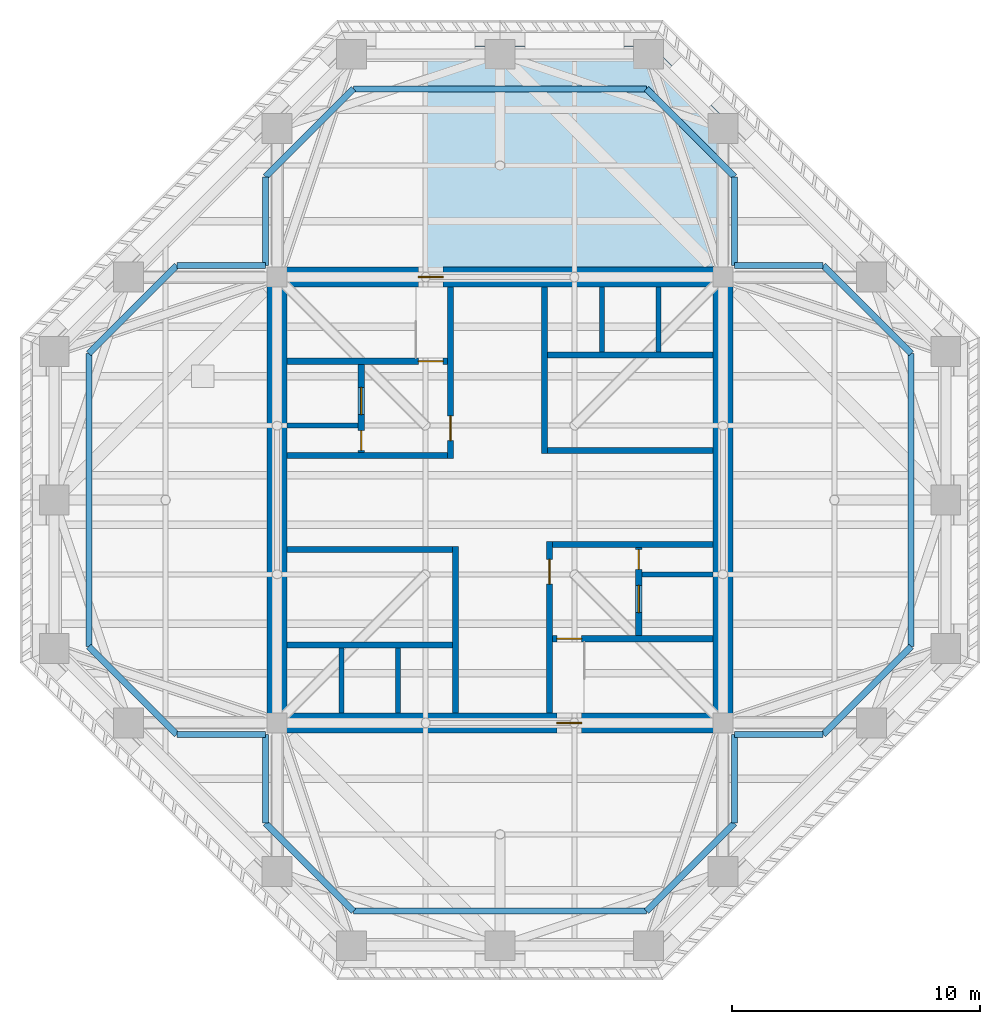
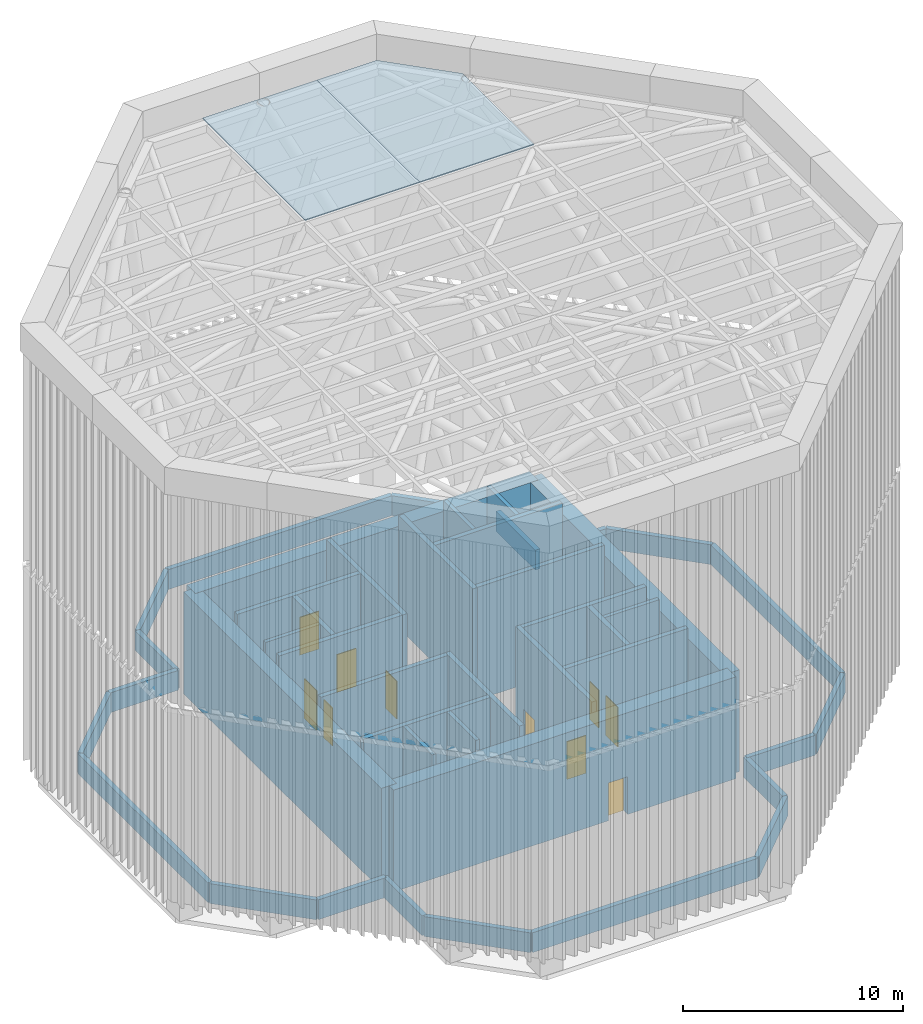
# One storey, part 4 of 8: 44 walls, 10 doors, 2 plates, 10 openings.
"""IFC4 building model written with IfcOpenShell, lengths in metres."""

from ifc_helpers import new_model, si_unit, direction, frame, frame_2d, origin, place, context, subcontext, project, spatial, polyline, rectangle, outline, extrude, material, layer, layer_set, constituent, constituent_set, type_object, element, fill, save


model = new_model("IFC4")

# Units and contexts
model_context = context("Model", 3, precision=1e-05, world=origin(), true_north=direction((0.0, 1.0)))
body_context = subcontext(model_context, "Body", "Model", "MODEL_VIEW")
ifc_project = project(units=[si_unit("LENGTHUNIT", "METRE"), si_unit("AREAUNIT", "SQUARE_METRE"), si_unit("VOLUMEUNIT", "CUBIC_METRE"), si_unit("PLANEANGLEUNIT", "RADIAN"), si_unit("MASSUNIT", "GRAM", prefix="KILO")], contexts=[model_context])

# Site, building, storey
site_placement = place(None, origin())
site = spatial("IfcSite", under=ifc_project, at=site_placement, CompositionType="ELEMENT")
building_placement = place(site_placement, origin())
building = spatial("IfcBuilding", under=site, at=building_placement, Name="Torre Cruceta", CompositionType="ELEMENT")
storey_placement = place(building_placement, frame((0.0, 0.0, 293.300048828125)))
storey = spatial("IfcBuildingStorey", under=building, at=storey_placement, Name="RF", CompositionType="ELEMENT", Elevation=293.300048828125)

# Plates
ifc_material_1 = material(Name="Steel S275", Category="steel")
ifc_layer_1 = layer(ifc_material_1, 0.050048828125)
ifc_layer_set_1 = layer_set([ifc_layer_1], Name="Steel S275")
plate_type = type_object("IfcPlateType", Name="CROWN FRAME CAP GRATING 50", PredefinedType="SHEET", material=ifc_layer_set_1)
plate_1_placement = place(storey_placement, frame((0.0, 0.0, 24.0)))
element("IfcPlate", 1, at=plate_1_placement, inside=storey, type_object=plate_type, Name="Crown frame cap grating CG1 15", PredefinedType="SHEET", context=body_context, shape_type="SweptSolid", body=[
    extrude(outline(polyline([(-3.0, 18.340087890625), (-3.0, 9.0), (3.0, 9.0), (3.0, 18.340087890625), (-3.0, 18.340087890625)])), origin(), (0.0, 0.0, 1.0), 0.050048828125),
])
plate_2_placement = place(storey_placement, frame((0.0, 0.0, 24.0)))
element("IfcPlate", 2, at=plate_2_placement, inside=storey, type_object=plate_type, Name="Crown frame cap grating CG1 20", PredefinedType="SHEET", context=body_context, shape_type="SweptSolid", body=[
    extrude(outline(polyline([(3.0, 18.340087890625), (3.0, 9.0), (9.0, 9.0), (9.0, 15.48095703125), (6.14111328125, 18.340087890625), (3.0, 18.340087890625)])), origin(), (0.0, 0.0, 1.0), 0.050048828125),
])

# Walls
ifc_material_2 = material(Name="Concrete G45 (fck 45 MPa)", Category="concrete")
ifc_layer_2 = layer(ifc_material_2, 0.25)
ifc_layer_set_2 = layer_set([ifc_layer_2], Name="Concrete G45 (fck 45 MPa)")
wall_type_1 = type_object("IfcWallType", Name="CORE INNER WALL 250 G45", PredefinedType="SHEAR", material=ifc_layer_set_2)
wall_1_placement = place(storey_placement, frame((1.800048828125, 1.875, 0.0), z_axis=(0.0, 0.0, 1.0), x_axis=(0.0, 1.0, 0.0)))
element("IfcWall", 3, at=wall_1_placement, inside=storey, type_object=wall_type_1, Name="CW6 RF NE-CU", PredefinedType="SHEAR", context=body_context, shape_type="SweptSolid", body=[
    extrude(rectangle(XDim=6.72509765625, YDim=0.25, at=frame_2d((3.362548828125, 0.0))), origin(), (0.0, 0.0, 1.0), 6.25),
])
for number, where, z_axis, x_axis, name in (
    (4, (1.925048828125, 2.0, 0.0), (0.0, 0.0, 1.0), (1.0, 0.0, 0.0), "CW6 RF NE-CV"),
    (5, (1.925048828125, 5.85009765625, 0.0), (0.0, 0.0, 1.0), (1.0, 0.0, 0.0), "CW6 RF NE-LV"),
):
    element("IfcWall", number, at=place(storey_placement, frame(where, z_axis=z_axis, x_axis=x_axis)), inside=storey, type_object=wall_type_1, Name=name, PredefinedType="SHEAR", context=body_context, shape_type="SweptSolid", body=[
        extrude(rectangle(XDim=6.675048828125, YDim=0.25, at=frame_2d((3.33740234375, 0.0))), origin(), (0.0, 0.0, 1.0), 6.25),
    ])

# Wall, opening, door
wall_2_placement = place(storey_placement, frame((-2.0, 1.675048828125, 0.0), z_axis=(0.0, 0.0, 1.0), x_axis=(0.0, 1.0, 0.0)))
wall_2 = element("IfcWall", 6, at=wall_2_placement, inside=storey, type_object=wall_type_1, Name="CW6 RF NW-CU", PredefinedType="SHEAR", context=body_context, shape_type="SweptSolid", body=[
    extrude(rectangle(XDim=6.925048828125, YDim=0.25, at=frame_2d((3.46240234375, 0.0))), origin(), (0.0, 0.0, 1.0), 6.25),
])
opening_1_placement = place(wall_2_placement, frame((0.72509765625, 0.0, 0.0)))
opening_1 = element("IfcOpeningElement", 7, at=opening_1_placement, cuts=wall_2, Name="Opening D3", PredefinedType="OPENING", context=body_context, shape_type="SweptSolid", body=[
    extrude(rectangle(XDim=1.0, YDim=2.10009765625, at=frame_2d((0.5, 1.050048828125))), frame((0.0, 0.135009765625, 0.0), z_axis=(0.0, -1.0, 0.0), x_axis=(1.0, 0.0, 0.0)), (0.0, 0.0, 1.0), 0.27001953125),
])
ifc_material_3 = material(Name="Steel DX51D", Category="steel")
ifc_constituent_1 = constituent(ifc_material_3, Name="Leaf and frame")
ifc_material_4 = material(Name="Polyester powder coating", Category="paint")
ifc_constituent_2 = constituent(ifc_material_4, Name="Finish")
ifc_constituent_set_1 = constituent_set(constituents=[ifc_constituent_1, ifc_constituent_2], Name="Steel fire door")
door_type_1 = type_object("IfcDoorType", Name="FIRE DOOR 1000X2100", OperationType="SINGLE_SWING_LEFT", PredefinedType="DOOR", material=ifc_constituent_set_1)
door_1_placement = place(opening_1_placement, origin())
door_1 = element("IfcDoor", 8, at=door_1_placement, inside=storey, type_object=door_type_1, Name="D3 RF NW-LOBBY", OperationType="SINGLE_SWING_LEFT", OverallHeight=2.10009765625, OverallWidth=1.0, PredefinedType="DOOR", context=body_context, shape_type="SweptSolid", body=[
    extrude(rectangle(XDim=1.0, YDim=2.10009765625, at=frame_2d((0.5, 1.050048828125))), frame((0.0, 0.02490234375, 0.0), z_axis=(0.0, -1.0, 0.0), x_axis=(1.0, 0.0, 0.0)), (0.0, 0.0, 1.0), 0.050048828125),
])
fill(opening_1, door_1)

# Wall
wall_3_placement = place(storey_placement, frame((-2.125, 1.800048828125, 0.0), z_axis=(0.0, 0.0, 1.0), x_axis=(-1.0, 0.0, 0.0)))
element("IfcWall", 9, at=wall_3_placement, inside=storey, type_object=wall_type_1, Name="CW6 RF NW-CV", PredefinedType="SHEAR", context=body_context, shape_type="SweptSolid", body=[
    extrude(rectangle(XDim=6.47509765625, YDim=0.25, at=frame_2d((3.237548828125, 0.0))), origin(), (0.0, 0.0, 1.0), 6.25),
])

# Wall, opening, door
wall_4_placement = place(storey_placement, frame((-2.125, 5.60009765625, 0.0), z_axis=(0.0, 0.0, 1.0), x_axis=(-1.0, 0.0, 0.0)))
wall_4 = element("IfcWall", 10, at=wall_4_placement, inside=storey, type_object=wall_type_1, Name="CW6 RF NW-SV", PredefinedType="SHEAR", context=body_context, shape_type="SweptSolid", body=[
    extrude(rectangle(XDim=6.47509765625, YDim=0.25, at=frame_2d((3.237548828125, 0.0))), origin(), (0.0, 0.0, 1.0), 6.25),
])
opening_2_placement = place(wall_4_placement, frame((0.175048828125, 0.0, 0.0)))
opening_2 = element("IfcOpeningElement", 11, at=opening_2_placement, cuts=wall_4, Name="Opening D3", PredefinedType="OPENING", context=body_context, shape_type="SweptSolid", body=[
    extrude(rectangle(XDim=1.0, YDim=2.10009765625, at=frame_2d((0.5, 1.050048828125))), frame((0.0, 0.135009765625, 0.0), z_axis=(0.0, -1.0, 0.0), x_axis=(1.0, 0.0, 0.0)), (0.0, 0.0, 1.0), 0.27001953125),
])
door_2_placement = place(opening_2_placement, frame((1.0, 0.0, 0.0), z_axis=(0.0, 0.0, 1.0), x_axis=(-1.0, 0.0, 0.0)))
door_2 = element("IfcDoor", 12, at=door_2_placement, inside=storey, type_object=door_type_1, Name="D3 RF NW-STAIR", OperationType="SINGLE_SWING_RIGHT", OverallHeight=2.10009765625, OverallWidth=1.0, PredefinedType="DOOR", context=body_context, shape_type="SweptSolid", body=[
    extrude(rectangle(XDim=1.0, YDim=2.10009765625, at=frame_2d((0.5, 1.050048828125))), frame((0.0, 0.025146484375, 0.0), z_axis=(0.0, -1.0, 0.0), x_axis=(1.0, 0.0, 0.0)), (0.0, 0.0, 1.0), 0.050048828125),
])
fill(opening_2, door_2)

# Wall, openings, doors
wall_5_placement = place(storey_placement, frame((-5.60009765625, 1.925048828125, 0.0), z_axis=(0.0, 0.0, 1.0), x_axis=(0.0, 1.0, 0.0)))
wall_5 = element("IfcWall", 13, at=wall_5_placement, inside=storey, type_object=wall_type_1, Name="CW6 RF NW-FU", PredefinedType="SHEAR", context=body_context, shape_type="SweptSolid", body=[
    extrude(rectangle(XDim=3.550048828125, YDim=0.25, at=frame_2d((1.77490234375, 0.0))), origin(), (0.0, 0.0, 1.0), 6.25),
])
opening_3_placement = place(wall_5_placement, frame((1.52490234375, 0.0, 0.0)))
opening_3 = element("IfcOpeningElement", 14, at=opening_3_placement, cuts=wall_5, Name="Opening LD1", PredefinedType="OPENING", context=body_context, shape_type="SweptSolid", body=[
    extrude(rectangle(XDim=1.10009765625, YDim=2.199951171875, at=frame_2d((0.550048828125, 1.10009765625))), frame((0.0, 0.135009765625, 0.0), z_axis=(0.0, -1.0, 0.0), x_axis=(1.0, 0.0, 0.0)), (0.0, 0.0, 1.0), 0.27001953125),
])
opening_4_placement = place(wall_5_placement, frame((0.074951171875, 0.0, 0.0)))
opening_4 = element("IfcOpeningElement", 15, at=opening_4_placement, cuts=wall_5, Name="Opening D5", PredefinedType="OPENING", context=body_context, shape_type="SweptSolid", body=[
    extrude(rectangle(XDim=0.800048828125, YDim=2.10009765625, at=frame_2d((0.39990234375, 1.050048828125))), frame((0.0, 0.135009765625, 0.0), z_axis=(0.0, -1.0, 0.0), x_axis=(1.0, 0.0, 0.0)), (0.0, 0.0, 1.0), 0.27001953125),
])
ifc_material_5 = material(Name="Stainless steel 1.4401", Category="steel")
door_type_2 = type_object("IfcDoorType", Name="LIFT LANDING DOOR 1100X2200", OperationType="DOUBLE_DOOR_SLIDING", PredefinedType="DOOR", material=ifc_material_5)
door_3_placement = place(opening_3_placement, origin())
door_3 = element("IfcDoor", 16, at=door_3_placement, inside=storey, type_object=door_type_2, Name="Lift landing door FL1", OperationType="DOUBLE_DOOR_SLIDING", OverallHeight=2.199951171875, OverallWidth=1.10009765625, PredefinedType="DOOR", context=body_context, shape_type="SweptSolid", body=[
    extrude(rectangle(XDim=1.10009765625, YDim=2.199951171875, at=frame_2d((0.550048828125, 1.10009765625))), frame((0.0, 0.02490234375, 0.0), z_axis=(0.0, -1.0, 0.0), x_axis=(1.0, 0.0, 0.0)), (0.0, 0.0, 1.0), 0.050048828125),
])
fill(opening_3, door_3)
ifc_material_6 = material(Name="Steel DX51D", Category="steel")
ifc_constituent_3 = constituent(ifc_material_6, Name="Leaf and frame")
ifc_material_7 = material(Name="Polyester powder coating", Category="paint")
ifc_constituent_4 = constituent(ifc_material_7, Name="Finish")
ifc_constituent_set_2 = constituent_set(constituents=[ifc_constituent_3, ifc_constituent_4], Name="Steel fire door")
door_type_3 = type_object("IfcDoorType", Name="RISER ACCESS DOOR 800X2100", OperationType="SINGLE_SWING_LEFT", PredefinedType="DOOR", material=ifc_constituent_set_2)
door_4_placement = place(opening_4_placement, origin())
door_4 = element("IfcDoor", 17, at=door_4_placement, inside=storey, type_object=door_type_3, Name="D5 RF NW-RISER", OperationType="SINGLE_SWING_LEFT", OverallHeight=2.10009765625, OverallWidth=0.800048828125, PredefinedType="DOOR", context=body_context, shape_type="SweptSolid", body=[
    extrude(rectangle(XDim=0.800048828125, YDim=2.10009765625, at=frame_2d((0.39990234375, 1.050048828125))), frame((0.0, 0.02490234375, 0.0), z_axis=(0.0, -1.0, 0.0), x_axis=(1.0, 0.0, 0.0)), (0.0, 0.0, 1.0), 0.050048828125),
])
fill(opening_4, door_4)

# Walls
wall_6_placement = place(storey_placement, frame((-1.800048828125, -1.875, 0.0), z_axis=(0.0, 0.0, 1.0), x_axis=(0.0, -1.0, 0.0)))
element("IfcWall", 18, at=wall_6_placement, inside=storey, type_object=wall_type_1, Name="CW6 RF SW-CU", PredefinedType="SHEAR", context=body_context, shape_type="SweptSolid", body=[
    extrude(rectangle(XDim=6.72509765625, YDim=0.25, at=frame_2d((3.362548828125, 0.0))), origin(), (0.0, 0.0, 1.0), 6.25),
])
for number, where, z_axis, x_axis, name in (
    (19, (-1.925048828125, -2.0, 0.0), (0.0, 0.0, 1.0), (-1.0, 0.0, 0.0), "CW6 RF SW-CV"),
    (20, (-1.925048828125, -5.85009765625, 0.0), (0.0, 0.0, 1.0), (-1.0, 0.0, 0.0), "CW6 RF SW-LV"),
):
    element("IfcWall", number, at=place(storey_placement, frame(where, z_axis=z_axis, x_axis=x_axis)), inside=storey, type_object=wall_type_1, Name=name, PredefinedType="SHEAR", context=body_context, shape_type="SweptSolid", body=[
        extrude(rectangle(XDim=6.675048828125, YDim=0.25, at=frame_2d((3.33740234375, 0.0))), origin(), (0.0, 0.0, 1.0), 6.25),
    ])

# Wall, opening, door
wall_7_placement = place(storey_placement, frame((2.0, -1.675048828125, 0.0), z_axis=(0.0, 0.0, 1.0), x_axis=(0.0, -1.0, 0.0)))
wall_7 = element("IfcWall", 21, at=wall_7_placement, inside=storey, type_object=wall_type_1, Name="CW6 RF SE-CU", PredefinedType="SHEAR", context=body_context, shape_type="SweptSolid", body=[
    extrude(rectangle(XDim=6.925048828125, YDim=0.25, at=frame_2d((3.46240234375, 0.0))), origin(), (0.0, 0.0, 1.0), 6.25),
])
opening_5_placement = place(wall_7_placement, frame((0.72509765625, 0.0, 0.0)))
opening_5 = element("IfcOpeningElement", 22, at=opening_5_placement, cuts=wall_7, Name="Opening D3", PredefinedType="OPENING", context=body_context, shape_type="SweptSolid", body=[
    extrude(rectangle(XDim=1.0, YDim=2.10009765625, at=frame_2d((0.5, 1.050048828125))), frame((0.0, 0.135009765625, 0.0), z_axis=(0.0, -1.0, 0.0), x_axis=(1.0, 0.0, 0.0)), (0.0, 0.0, 1.0), 0.27001953125),
])
door_5_placement = place(opening_5_placement, origin())
door_5 = element("IfcDoor", 23, at=door_5_placement, inside=storey, type_object=door_type_1, Name="D3 RF SE-LOBBY", OperationType="SINGLE_SWING_LEFT", OverallHeight=2.10009765625, OverallWidth=1.0, PredefinedType="DOOR", context=body_context, shape_type="SweptSolid", body=[
    extrude(rectangle(XDim=1.0, YDim=2.10009765625, at=frame_2d((0.5, 1.050048828125))), frame((0.0, 0.02490234375, 0.0), z_axis=(0.0, -1.0, 0.0), x_axis=(1.0, 0.0, 0.0)), (0.0, 0.0, 1.0), 0.050048828125),
])
fill(opening_5, door_5)

# Wall
wall_8_placement = place(storey_placement, frame((2.125, -1.800048828125, 0.0), z_axis=(0.0, 0.0, 1.0), x_axis=(1.0, 0.0, 0.0)))
element("IfcWall", 24, at=wall_8_placement, inside=storey, type_object=wall_type_1, Name="CW6 RF SE-CV", PredefinedType="SHEAR", context=body_context, shape_type="SweptSolid", body=[
    extrude(rectangle(XDim=6.47509765625, YDim=0.25, at=frame_2d((3.237548828125, 0.0))), origin(), (0.0, 0.0, 1.0), 6.25),
])

# Wall, opening, door
wall_9_placement = place(storey_placement, frame((2.125, -5.60009765625, 0.0), z_axis=(0.0, 0.0, 1.0), x_axis=(1.0, 0.0, 0.0)))
wall_9 = element("IfcWall", 25, at=wall_9_placement, inside=storey, type_object=wall_type_1, Name="CW6 RF SE-SV", PredefinedType="SHEAR", context=body_context, shape_type="SweptSolid", body=[
    extrude(rectangle(XDim=6.47509765625, YDim=0.25, at=frame_2d((3.237548828125, 0.0))), origin(), (0.0, 0.0, 1.0), 6.25),
])
opening_6_placement = place(wall_9_placement, frame((0.175048828125, 0.0, 0.0)))
opening_6 = element("IfcOpeningElement", 26, at=opening_6_placement, cuts=wall_9, Name="Opening D3", PredefinedType="OPENING", context=body_context, shape_type="SweptSolid", body=[
    extrude(rectangle(XDim=1.0, YDim=2.10009765625, at=frame_2d((0.5, 1.050048828125))), frame((0.0, 0.135009765625, 0.0), z_axis=(0.0, -1.0, 0.0), x_axis=(1.0, 0.0, 0.0)), (0.0, 0.0, 1.0), 0.27001953125),
])
door_6_placement = place(opening_6_placement, frame((1.0, 0.0, 0.0), z_axis=(0.0, 0.0, 1.0), x_axis=(-1.0, 0.0, 0.0)))
door_6 = element("IfcDoor", 27, at=door_6_placement, inside=storey, type_object=door_type_1, Name="D3 RF SE-STAIR", OperationType="SINGLE_SWING_RIGHT", OverallHeight=2.10009765625, OverallWidth=1.0, PredefinedType="DOOR", context=body_context, shape_type="SweptSolid", body=[
    extrude(rectangle(XDim=1.0, YDim=2.10009765625, at=frame_2d((0.5, 1.050048828125))), frame((0.0, 0.025146484375, 0.0), z_axis=(0.0, -1.0, 0.0), x_axis=(1.0, 0.0, 0.0)), (0.0, 0.0, 1.0), 0.050048828125),
])
fill(opening_6, door_6)

# Wall, openings, doors
wall_10_placement = place(storey_placement, frame((5.60009765625, -1.925048828125, 0.0), z_axis=(0.0, 0.0, 1.0), x_axis=(0.0, -1.0, 0.0)))
wall_10 = element("IfcWall", 28, at=wall_10_placement, inside=storey, type_object=wall_type_1, Name="CW6 RF SE-FU", PredefinedType="SHEAR", context=body_context, shape_type="SweptSolid", body=[
    extrude(rectangle(XDim=3.550048828125, YDim=0.25, at=frame_2d((1.77490234375, 0.0))), origin(), (0.0, 0.0, 1.0), 6.25),
])
opening_7_placement = place(wall_10_placement, frame((1.52490234375, 0.0, 0.0)))
opening_7 = element("IfcOpeningElement", 29, at=opening_7_placement, cuts=wall_10, Name="Opening LD1", PredefinedType="OPENING", context=body_context, shape_type="SweptSolid", body=[
    extrude(rectangle(XDim=1.10009765625, YDim=2.199951171875, at=frame_2d((0.550048828125, 1.10009765625))), frame((0.0, 0.135009765625, 0.0), z_axis=(0.0, -1.0, 0.0), x_axis=(1.0, 0.0, 0.0)), (0.0, 0.0, 1.0), 0.27001953125),
])
opening_8_placement = place(wall_10_placement, frame((0.074951171875, 0.0, 0.0)))
opening_8 = element("IfcOpeningElement", 30, at=opening_8_placement, cuts=wall_10, Name="Opening D5", PredefinedType="OPENING", context=body_context, shape_type="SweptSolid", body=[
    extrude(rectangle(XDim=0.800048828125, YDim=2.10009765625, at=frame_2d((0.39990234375, 1.050048828125))), frame((0.0, 0.135009765625, 0.0), z_axis=(0.0, -1.0, 0.0), x_axis=(1.0, 0.0, 0.0)), (0.0, 0.0, 1.0), 0.27001953125),
])
door_7_placement = place(opening_7_placement, origin())
door_7 = element("IfcDoor", 31, at=door_7_placement, inside=storey, type_object=door_type_2, Name="Lift landing door FL2", OperationType="DOUBLE_DOOR_SLIDING", OverallHeight=2.199951171875, OverallWidth=1.10009765625, PredefinedType="DOOR", context=body_context, shape_type="SweptSolid", body=[
    extrude(rectangle(XDim=1.10009765625, YDim=2.199951171875, at=frame_2d((0.550048828125, 1.10009765625))), frame((0.0, 0.02490234375, 0.0), z_axis=(0.0, -1.0, 0.0), x_axis=(1.0, 0.0, 0.0)), (0.0, 0.0, 1.0), 0.050048828125),
])
fill(opening_7, door_7)
door_8_placement = place(opening_8_placement, origin())
door_8 = element("IfcDoor", 32, at=door_8_placement, inside=storey, type_object=door_type_3, Name="D5 RF SE-RISER", OperationType="SINGLE_SWING_LEFT", OverallHeight=2.10009765625, OverallWidth=0.800048828125, PredefinedType="DOOR", context=body_context, shape_type="SweptSolid", body=[
    extrude(rectangle(XDim=0.800048828125, YDim=2.10009765625, at=frame_2d((0.39990234375, 1.050048828125))), frame((0.0, 0.02490234375, 0.0), z_axis=(0.0, -1.0, 0.0), x_axis=(1.0, 0.0, 0.0)), (0.0, 0.0, 1.0), 0.050048828125),
])
fill(opening_8, door_8)

# Wall, opening, door
ifc_material_8 = material(Name="Concrete G45 (fck 45 MPa)", Category="concrete")
ifc_layer_3 = layer(ifc_material_8, 0.800048828125)
ifc_layer_set_3 = layer_set([ifc_layer_3], Name="Concrete G45 (fck 45 MPa)")
wall_type_2 = type_object("IfcWallType", Name="CORE WALL 800 G45", PredefinedType="SHEAR", material=ifc_layer_set_3)
wall_11_placement = place(storey_placement, frame((9.0, 9.0, 0.0), z_axis=(0.0, 0.0, 1.0), x_axis=(-1.0, 0.0, 0.0)))
wall_11 = element("IfcWall", 33, at=wall_11_placement, inside=storey, type_object=wall_type_2, Name="CW8 RF CW-N", PredefinedType="SHEAR", context=body_context, shape_type="SweptSolid", body=[
    extrude(rectangle(XDim=18.0, YDim=0.800048828125, at=frame_2d((9.0, 0.0))), origin(), (0.0, 0.0, 1.0), 5.64990234375),
])
opening_9_placement = place(wall_11_placement, frame((11.300048828125, 0.0, 0.0)))
opening_9 = element("IfcOpeningElement", 34, at=opening_9_placement, cuts=wall_11, Name="Opening D3", PredefinedType="OPENING", context=body_context, shape_type="SweptSolid", body=[
    extrude(rectangle(XDim=1.0, YDim=2.10009765625, at=frame_2d((0.5, 1.050048828125))), frame((0.0, 0.409912109375, 0.0), z_axis=(0.0, -1.0, 0.0), x_axis=(1.0, 0.0, 0.0)), (0.0, 0.0, 1.0), 0.820068359375),
])
door_9_placement = place(opening_9_placement, origin())
door_9 = element("IfcDoor", 35, at=door_9_placement, inside=storey, type_object=door_type_1, Name="Roof door ST1", OperationType="SINGLE_SWING_LEFT", OverallHeight=2.10009765625, OverallWidth=1.0, PredefinedType="DOOR", context=body_context, shape_type="SweptSolid", body=[
    extrude(rectangle(XDim=1.0, YDim=2.10009765625, at=frame_2d((0.5, 1.050048828125))), frame((0.0, 0.02490234375, 0.0), z_axis=(0.0, -1.0, 0.0), x_axis=(1.0, 0.0, 0.0)), (0.0, 0.0, 1.0), 0.050048828125),
])
fill(opening_9, door_9)

wall_12_placement = place(storey_placement, frame((-9.0, -9.0, 0.0), z_axis=(0.0, 0.0, 1.0), x_axis=(1.0, 0.0, 0.0)))
wall_12 = element("IfcWall", 36, at=wall_12_placement, inside=storey, type_object=wall_type_2, Name="CW8 RF CW-S", PredefinedType="SHEAR", context=body_context, shape_type="SweptSolid", body=[
    extrude(rectangle(XDim=18.0, YDim=0.800048828125, at=frame_2d((9.0, 0.0))), origin(), (0.0, 0.0, 1.0), 5.64990234375),
])
opening_10_placement = place(wall_12_placement, frame((11.300048828125, 0.0, 0.0)))
opening_10 = element("IfcOpeningElement", 37, at=opening_10_placement, cuts=wall_12, Name="Opening D3", PredefinedType="OPENING", context=body_context, shape_type="SweptSolid", body=[
    extrude(rectangle(XDim=1.0, YDim=2.10009765625, at=frame_2d((0.5, 1.050048828125))), frame((0.0, 0.409912109375, 0.0), z_axis=(0.0, -1.0, 0.0), x_axis=(1.0, 0.0, 0.0)), (0.0, 0.0, 1.0), 0.820068359375),
])
door_10_placement = place(opening_10_placement, origin())
door_10 = element("IfcDoor", 38, at=door_10_placement, inside=storey, type_object=door_type_1, Name="Roof door ST2", OperationType="SINGLE_SWING_LEFT", OverallHeight=2.10009765625, OverallWidth=1.0, PredefinedType="DOOR", context=body_context, shape_type="SweptSolid", body=[
    extrude(rectangle(XDim=1.0, YDim=2.10009765625, at=frame_2d((0.5, 1.050048828125))), frame((0.0, 0.02490234375, 0.0), z_axis=(0.0, -1.0, 0.0), x_axis=(1.0, 0.0, 0.0)), (0.0, 0.0, 1.0), 0.050048828125),
])
fill(opening_10, door_10)

# Walls
for number, where, z_axis, x_axis, name in (
    (39, (9.0, -9.0, 0.0), (0.0, 0.0, 1.0), (0.0, 1.0, 0.0), "CW8 RF CW-E"),
    (40, (-9.0, 9.0, 0.0), (0.0, 0.0, 1.0), (0.0, -1.0, 0.0), "CW8 RF CW-W"),
):
    element("IfcWall", number, at=place(storey_placement, frame(where, z_axis=z_axis, x_axis=x_axis)), inside=storey, type_object=wall_type_2, Name=name, PredefinedType="SHEAR", context=body_context, shape_type="SweptSolid", body=[
        extrude(rectangle(XDim=18.0, YDim=0.800048828125, at=frame_2d((9.0, 0.0))), origin(), (0.0, 0.0, 1.0), 5.64990234375),
    ])
ifc_material_9 = material(Name="Concrete G35 (fck 35 MPa)", Category="concrete")
ifc_layer_4 = layer(ifc_material_9, 0.199951171875)
ifc_layer_set_4 = layer_set([ifc_layer_4], Name="Concrete G35 (fck 35 MPa)")
wall_type_3 = type_object("IfcWallType", Name="LIFT SHAFT WALL 200", PredefinedType="PARTITIONING", material=ifc_layer_set_4)
for number, where, z_axis, x_axis, name in (
    (41, (4.11669921875, 5.97509765625, 0.0), (0.0, 0.0, 1.0), (0.0, 1.0, 0.0), "SW1 RF NE-LS1"),
    (42, (6.408447265625, 5.97509765625, 0.0), (0.0, 0.0, 1.0), (0.0, 1.0, 0.0), "SW1 RF NE-LS2"),
):
    element("IfcWall", number, at=place(storey_placement, frame(where, z_axis=z_axis, x_axis=x_axis)), inside=storey, type_object=wall_type_3, Name=name, PredefinedType="PARTITIONING", context=body_context, shape_type="SweptSolid", body=[
        extrude(rectangle(XDim=2.625, YDim=0.199951171875, at=frame_2d((1.3125, 0.0))), origin(), (0.0, 0.0, 1.0), 6.25),
    ])
wall_13_placement = place(storey_placement, frame((-5.72509765625, 3.0, 0.0), z_axis=(0.0, 0.0, 1.0), x_axis=(-1.0, 0.0, 0.0)))
element("IfcWall", 43, at=wall_13_placement, inside=storey, type_object=wall_type_3, Name="SW1 RF NW-FR", PredefinedType="PARTITIONING", context=body_context, shape_type="SweptSolid", body=[
    extrude(rectangle(XDim=2.875, YDim=0.199951171875, at=frame_2d((1.4375, 0.0))), origin(), (0.0, 0.0, 1.0), 6.25),
])
for number, where, z_axis, x_axis, name in (
    (44, (-4.11669921875, -5.97509765625, 0.0), (0.0, 0.0, 1.0), (0.0, -1.0, 0.0), "SW1 RF SW-LS1"),
    (45, (-6.408447265625, -5.97509765625, 0.0), (0.0, 0.0, 1.0), (0.0, -1.0, 0.0), "SW1 RF SW-LS2"),
):
    element("IfcWall", number, at=place(storey_placement, frame(where, z_axis=z_axis, x_axis=x_axis)), inside=storey, type_object=wall_type_3, Name=name, PredefinedType="PARTITIONING", context=body_context, shape_type="SweptSolid", body=[
        extrude(rectangle(XDim=2.625, YDim=0.199951171875, at=frame_2d((1.3125, 0.0))), origin(), (0.0, 0.0, 1.0), 6.25),
    ])
wall_14_placement = place(storey_placement, frame((5.72509765625, -3.0, 0.0), z_axis=(0.0, 0.0, 1.0), x_axis=(1.0, 0.0, 0.0)))
element("IfcWall", 46, at=wall_14_placement, inside=storey, type_object=wall_type_3, Name="SW1 RF SE-FR", PredefinedType="PARTITIONING", context=body_context, shape_type="SweptSolid", body=[
    extrude(rectangle(XDim=2.875, YDim=0.199951171875, at=frame_2d((1.4375, 0.0))), origin(), (0.0, 0.0, 1.0), 6.25),
])
ifc_material_10 = material(Name="Concrete G30 (fck 30 MPa)", Category="concrete")
ifc_layer_5 = layer(ifc_material_10, 0.25)
ifc_layer_set_5 = layer_set([ifc_layer_5], Name="Concrete G30 (fck 30 MPa)")
wall_type_4 = type_object("IfcWallType", Name="ROOF PARAPET 250", PredefinedType="PARAPET", material=ifc_layer_set_5)
wall_15_placement = place(storey_placement, frame((9.469970703125, -9.469970703125, 0.0), z_axis=(0.0, 0.0, 1.0), x_axis=(1.0, 0.0, 0.0)))
element("IfcWall", 47, at=wall_15_placement, inside=storey, type_object=wall_type_4, Name="PW1 roof parapet 01", PredefinedType="PARAPET", context=body_context, shape_type="SweptSolid", body=[
    extrude(rectangle(XDim=3.5751953125, YDim=0.25, at=frame_2d((1.78759765625, 0.0))), origin(), (0.0, 0.0, 1.0), 1.099853515625),
])
wall_16_placement = place(storey_placement, frame((13.045166015625, -9.469970703125, 0.0), z_axis=(0.0, 0.0, 1.0), x_axis=(0.707106781187, 0.707106781187, 0.0)))
element("IfcWall", 48, at=wall_16_placement, inside=storey, type_object=wall_type_4, Name="PW1 roof parapet 02", PredefinedType="PARAPET", context=body_context, shape_type="SweptSolid", body=[
    extrude(rectangle(XDim=5.02734375, YDim=0.25, at=frame_2d((2.513671875, 0.0))), origin(), (0.0, 0.0, 1.0), 1.099853515625),
])
wall_17_placement = place(storey_placement, frame((16.60009765625, -5.9150390625, 0.0), z_axis=(0.0, 0.0, 1.0), x_axis=(0.0, 1.0, 0.0)))
element("IfcWall", 49, at=wall_17_placement, inside=storey, type_object=wall_type_4, Name="PW1 roof parapet 03", PredefinedType="PARAPET", context=body_context, shape_type="SweptSolid", body=[
    extrude(rectangle(XDim=11.830078125, YDim=0.25, at=frame_2d((5.9150390625, 0.0))), origin(), (0.0, 0.0, 1.0), 1.099853515625),
])
wall_18_placement = place(storey_placement, frame((16.60009765625, 5.9150390625, 0.0), z_axis=(0.0, 0.0, 1.0), x_axis=(-0.707106781187, 0.707106781187, 0.0)))
element("IfcWall", 50, at=wall_18_placement, inside=storey, type_object=wall_type_4, Name="PW1 roof parapet 04", PredefinedType="PARAPET", context=body_context, shape_type="SweptSolid", body=[
    extrude(rectangle(XDim=5.02734375, YDim=0.25, at=frame_2d((2.513671875, 0.0))), origin(), (0.0, 0.0, 1.0), 1.099853515625),
])
for number, where, z_axis, x_axis, name in (
    (51, (13.045166015625, 9.469970703125, 0.0), (0.0, 0.0, 1.0), (-1.0, 0.0, 0.0), "PW1 roof parapet 05"),
    (52, (9.469970703125, 9.469970703125, 0.0), (0.0, 0.0, 1.0), (0.0, 1.0, 0.0), "PW1 roof parapet 06"),
):
    element("IfcWall", number, at=place(storey_placement, frame(where, z_axis=z_axis, x_axis=x_axis)), inside=storey, type_object=wall_type_4, Name=name, PredefinedType="PARAPET", context=body_context, shape_type="SweptSolid", body=[
        extrude(rectangle(XDim=3.5751953125, YDim=0.25, at=frame_2d((1.78759765625, 0.0))), origin(), (0.0, 0.0, 1.0), 1.099853515625),
    ])
wall_19_placement = place(storey_placement, frame((9.469970703125, 13.045166015625, 0.0), z_axis=(0.0, 0.0, 1.0), x_axis=(-0.707106781187, 0.707106781187, 0.0)))
element("IfcWall", 53, at=wall_19_placement, inside=storey, type_object=wall_type_4, Name="PW1 roof parapet 07", PredefinedType="PARAPET", context=body_context, shape_type="SweptSolid", body=[
    extrude(rectangle(XDim=5.02734375, YDim=0.25, at=frame_2d((2.513671875, 0.0))), origin(), (0.0, 0.0, 1.0), 1.099853515625),
])
wall_20_placement = place(storey_placement, frame((5.9150390625, 16.60009765625, 0.0), z_axis=(0.0, 0.0, 1.0), x_axis=(-1.0, 0.0, 0.0)))
element("IfcWall", 54, at=wall_20_placement, inside=storey, type_object=wall_type_4, Name="PW1 roof parapet 08", PredefinedType="PARAPET", context=body_context, shape_type="SweptSolid", body=[
    extrude(rectangle(XDim=11.830078125, YDim=0.25, at=frame_2d((5.9150390625, 0.0))), origin(), (0.0, 0.0, 1.0), 1.099853515625),
])
wall_21_placement = place(storey_placement, frame((-5.9150390625, 16.60009765625, 0.0), z_axis=(0.0, 0.0, 1.0), x_axis=(-0.707106781187, -0.707106781187, 0.0)))
element("IfcWall", 55, at=wall_21_placement, inside=storey, type_object=wall_type_4, Name="PW1 roof parapet 09", PredefinedType="PARAPET", context=body_context, shape_type="SweptSolid", body=[
    extrude(rectangle(XDim=5.02734375, YDim=0.25, at=frame_2d((2.513671875, 0.0))), origin(), (0.0, 0.0, 1.0), 1.099853515625),
])
for number, where, z_axis, x_axis, name in (
    (56, (-9.469970703125, 13.045166015625, 0.0), (0.0, 0.0, 1.0), (0.0, -1.0, 0.0), "PW1 roof parapet 10"),
    (57, (-9.469970703125, 9.469970703125, 0.0), (0.0, 0.0, 1.0), (-1.0, 0.0, 0.0), "PW1 roof parapet 11"),
):
    element("IfcWall", number, at=place(storey_placement, frame(where, z_axis=z_axis, x_axis=x_axis)), inside=storey, type_object=wall_type_4, Name=name, PredefinedType="PARAPET", context=body_context, shape_type="SweptSolid", body=[
        extrude(rectangle(XDim=3.5751953125, YDim=0.25, at=frame_2d((1.78759765625, 0.0))), origin(), (0.0, 0.0, 1.0), 1.099853515625),
    ])
wall_22_placement = place(storey_placement, frame((-13.045166015625, 9.469970703125, 0.0), z_axis=(0.0, 0.0, 1.0), x_axis=(-0.707106781187, -0.707106781187, 0.0)))
element("IfcWall", 58, at=wall_22_placement, inside=storey, type_object=wall_type_4, Name="PW1 roof parapet 12", PredefinedType="PARAPET", context=body_context, shape_type="SweptSolid", body=[
    extrude(rectangle(XDim=5.02734375, YDim=0.25, at=frame_2d((2.513671875, 0.0))), origin(), (0.0, 0.0, 1.0), 1.099853515625),
])
wall_23_placement = place(storey_placement, frame((-16.60009765625, 5.9150390625, 0.0), z_axis=(0.0, 0.0, 1.0), x_axis=(0.0, -1.0, 0.0)))
element("IfcWall", 59, at=wall_23_placement, inside=storey, type_object=wall_type_4, Name="PW1 roof parapet 13", PredefinedType="PARAPET", context=body_context, shape_type="SweptSolid", body=[
    extrude(rectangle(XDim=11.830078125, YDim=0.25, at=frame_2d((5.9150390625, 0.0))), origin(), (0.0, 0.0, 1.0), 1.099853515625),
])
wall_24_placement = place(storey_placement, frame((-16.60009765625, -5.9150390625, 0.0), z_axis=(0.0, 0.0, 1.0), x_axis=(0.707106781187, -0.707106781187, 0.0)))
element("IfcWall", 60, at=wall_24_placement, inside=storey, type_object=wall_type_4, Name="PW1 roof parapet 14", PredefinedType="PARAPET", context=body_context, shape_type="SweptSolid", body=[
    extrude(rectangle(XDim=5.02734375, YDim=0.25, at=frame_2d((2.513671875, 0.0))), origin(), (0.0, 0.0, 1.0), 1.099853515625),
])
for number, where, z_axis, x_axis, name in (
    (61, (-13.045166015625, -9.469970703125, 0.0), (0.0, 0.0, 1.0), (1.0, 0.0, 0.0), "PW1 roof parapet 15"),
    (62, (-9.469970703125, -9.469970703125, 0.0), (0.0, 0.0, 1.0), (0.0, -1.0, 0.0), "PW1 roof parapet 16"),
):
    element("IfcWall", number, at=place(storey_placement, frame(where, z_axis=z_axis, x_axis=x_axis)), inside=storey, type_object=wall_type_4, Name=name, PredefinedType="PARAPET", context=body_context, shape_type="SweptSolid", body=[
        extrude(rectangle(XDim=3.5751953125, YDim=0.25, at=frame_2d((1.78759765625, 0.0))), origin(), (0.0, 0.0, 1.0), 1.099853515625),
    ])
wall_25_placement = place(storey_placement, frame((-9.469970703125, -13.045166015625, 0.0), z_axis=(0.0, 0.0, 1.0), x_axis=(0.707106781187, -0.707106781187, 0.0)))
element("IfcWall", 63, at=wall_25_placement, inside=storey, type_object=wall_type_4, Name="PW1 roof parapet 17", PredefinedType="PARAPET", context=body_context, shape_type="SweptSolid", body=[
    extrude(rectangle(XDim=5.02734375, YDim=0.25, at=frame_2d((2.513671875, 0.0))), origin(), (0.0, 0.0, 1.0), 1.099853515625),
])
wall_26_placement = place(storey_placement, frame((-5.9150390625, -16.60009765625, 0.0), z_axis=(0.0, 0.0, 1.0), x_axis=(1.0, 0.0, 0.0)))
element("IfcWall", 64, at=wall_26_placement, inside=storey, type_object=wall_type_4, Name="PW1 roof parapet 18", PredefinedType="PARAPET", context=body_context, shape_type="SweptSolid", body=[
    extrude(rectangle(XDim=11.830078125, YDim=0.25, at=frame_2d((5.9150390625, 0.0))), origin(), (0.0, 0.0, 1.0), 1.099853515625),
])
wall_27_placement = place(storey_placement, frame((5.9150390625, -16.60009765625, 0.0), z_axis=(0.0, 0.0, 1.0), x_axis=(0.707106781187, 0.707106781187, 0.0)))
element("IfcWall", 65, at=wall_27_placement, inside=storey, type_object=wall_type_4, Name="PW1 roof parapet 19", PredefinedType="PARAPET", context=body_context, shape_type="SweptSolid", body=[
    extrude(rectangle(XDim=5.02734375, YDim=0.25, at=frame_2d((2.513671875, 0.0))), origin(), (0.0, 0.0, 1.0), 1.099853515625),
])
wall_28_placement = place(storey_placement, frame((9.469970703125, -13.045166015625, 0.0), z_axis=(0.0, 0.0, 1.0), x_axis=(0.0, 1.0, 0.0)))
element("IfcWall", 66, at=wall_28_placement, inside=storey, type_object=wall_type_4, Name="PW1 roof parapet 20", PredefinedType="PARAPET", context=body_context, shape_type="SweptSolid", body=[
    extrude(rectangle(XDim=3.5751953125, YDim=0.25, at=frame_2d((1.78759765625, 0.0))), origin(), (0.0, 0.0, 1.0), 1.099853515625),
])

save(model, "model.ifc")
